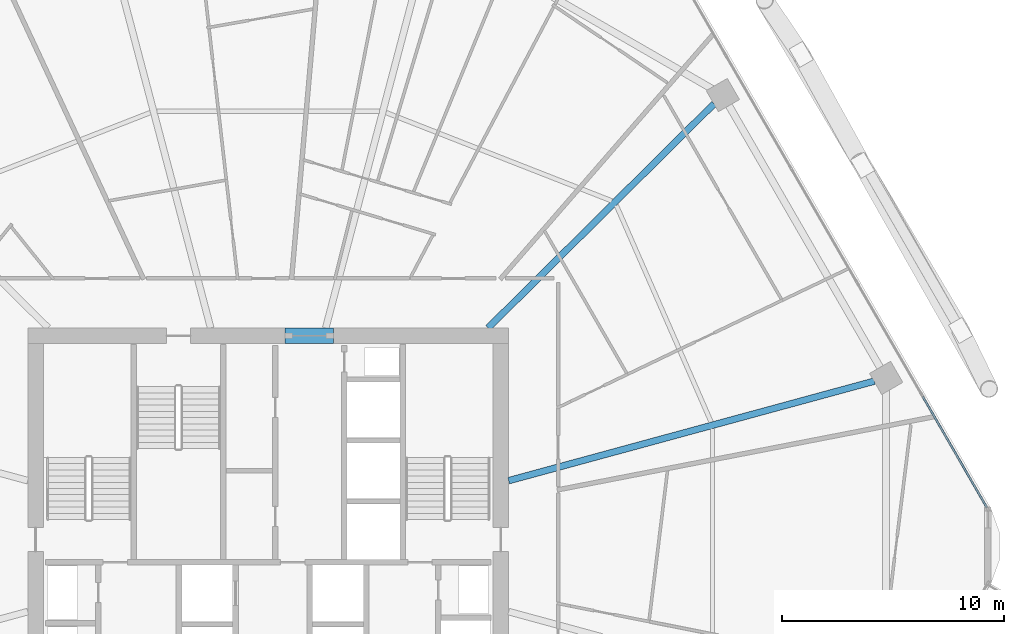
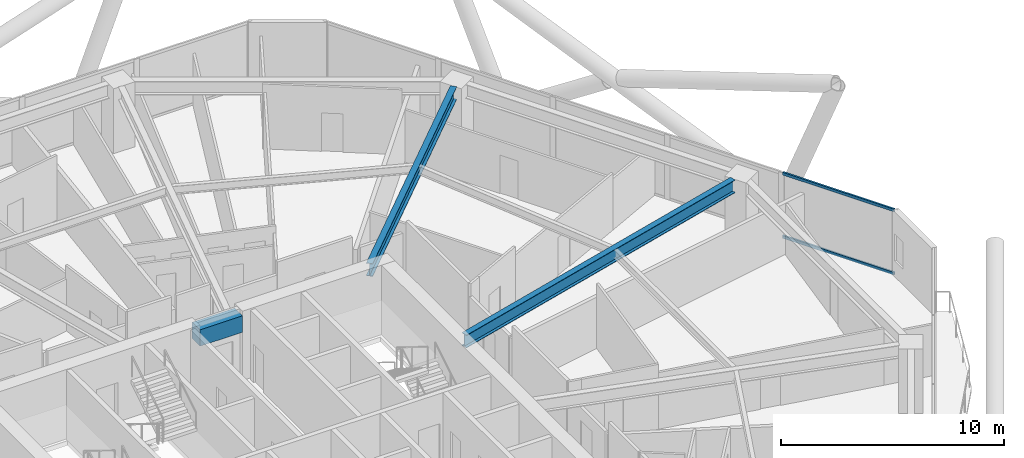
# One storey, part 19 of 34: 3 beams, 2 members, 1 element without a shape of its own.
"""IFC4 building model written with IfcOpenShell, lengths in metres."""

from ifc_helpers import new_model, si_unit, direction, frame, origin, origin_2d, place, context, subcontext, project, spatial, rectangle, hollow_rectangle, i_section, extrude, material, material_profile, profile_set, type_object, element, aggregate, save


model = new_model("IFC4")

# Units and contexts
model_context = context("Model", 3, precision=1e-05, world=origin(), true_north=direction((0.0, 1.0)))
body_context = subcontext(model_context, "Body", "Model", "MODEL_VIEW")
ifc_project = project(units=[si_unit("LENGTHUNIT", "METRE"), si_unit("AREAUNIT", "SQUARE_METRE"), si_unit("VOLUMEUNIT", "CUBIC_METRE"), si_unit("PLANEANGLEUNIT", "RADIAN"), si_unit("MASSUNIT", "GRAM", prefix="KILO")], contexts=[model_context])

# Site, building, storey
site_placement = place(None, origin())
site = spatial("IfcSite", under=ifc_project, at=site_placement, CompositionType="ELEMENT")
building_placement = place(site_placement, origin())
building = spatial("IfcBuilding", under=site, at=building_placement, Name="Zuhravey Tower", CompositionType="ELEMENT")
storey_placement = place(building_placement, frame((0.0, 0.0, 130.39990234375)))
storey = spatial("IfcBuildingStorey", under=building, at=storey_placement, Name="L32", CompositionType="ELEMENT", Elevation=130.39990234375)

# Beam
ifc_material_1 = material(Name="Concrete C60/75", Category="concrete")
ifc_material_profile_1 = material_profile(ifc_material_1, rectangle(XDim=0.699951171875, YDim=0.89990234375, at=origin_2d()), Name="RC-700x900")
ifc_profile_set_1 = profile_set([ifc_material_profile_1], Name="Concrete C60/75")
beam_type_1 = type_object("IfcBeamType", Name="Core Coupling Beam RC700x900", PredefinedType="LINTEL", material=ifc_profile_set_1)
beam_1_placement = place(storey_placement, frame((36.751953125, 41.5, 3.10009765625), z_axis=(1.0, 0.0, 0.0), x_axis=(0.0, 1.0, 0.0)))
element("IfcBeam", 1, at=beam_1_placement, inside=storey, type_object=beam_type_1, Name="L32 CB1 BM-L32-CB-N", PredefinedType="LINTEL", context=body_context, shape_type="SweptSolid", body=[
    extrude(rectangle(XDim=0.699951171875, YDim=0.89990234375, at=origin_2d()), origin(), (0.0, 0.0, 1.0), 2.196044921875),
])

# Curtain wall, members
ifc_material_2 = material(Name="Thermally broken anodised aluminium", Category="aluminium")
curtain_wall_type = type_object("IfcCurtainWallType", Name="Zone 1-2 Residential Curtain Wall CW3", PredefinedType="NOTDEFINED", material=ifc_material_2)
curtain_wall_placement = place(storey_placement, origin())
curtain_wall = element("IfcCurtainWall", 2, at=curtain_wall_placement, inside=storey, type_object=curtain_wall_type, Name="L32 CW3 CW-L32-F1-1", PredefinedType="NOTDEFINED")
ifc_material_3 = material(Name="Anodised aluminium", Category="aluminium")
ifc_material_profile_2 = material_profile(ifc_material_3, hollow_rectangle(XDim=0.090087890625, YDim=0.14990234375, WallThickness=0.0048828125, at=origin_2d()), Name="ALU-RHS-90x150x5")
ifc_profile_set_2 = profile_set([ifc_material_profile_2], Name="Anodised aluminium")
member_type = type_object("IfcMemberType", Name="Curtain-Wall Transom 90x150", PredefinedType="USERDEFINED", material=ifc_profile_set_2)
member_1_placement = place(storey_placement, frame((65.541015625, 38.750244140625, 0.045166015625), z_axis=(0.500024450573, -0.866011286779, 0.0), x_axis=(0.866011286779, 0.500024450573, 0.0)))
member_1 = element("IfcMember", 3, at=member_1_placement, type_object=member_type, Name="CW3 transom 5.1", ObjectType="TRANSOM", PredefinedType="USERDEFINED", context=body_context, shape_type="SweptSolid", body=[
    extrude(hollow_rectangle(XDim=0.090087890625, YDim=0.14990234375, WallThickness=0.0048828125, at=origin_2d()), origin(), (0.0, 0.0, 1.0), 5.784912109375),
])
member_2_placement = place(storey_placement, frame((65.541015625, 38.750244140625, 3.505126953125), z_axis=(0.500024450573, -0.866011286779, 0.0), x_axis=(0.866011286779, 0.500024450573, 0.0)))
member_2 = element("IfcMember", 4, at=member_2_placement, type_object=member_type, Name="CW3 transom 5.2", ObjectType="TRANSOM", PredefinedType="USERDEFINED", context=body_context, shape_type="SweptSolid", body=[
    extrude(hollow_rectangle(XDim=0.090087890625, YDim=0.14990234375, WallThickness=0.0048828125, at=origin_2d()), origin(), (0.0, 0.0, 1.0), 5.784912109375),
])
aggregate(curtain_wall, [member_1, member_2])

# Beams
ifc_material_4 = material(Name="Steel SM355", Category="steel")
ifc_material_profile_3 = material_profile(ifc_material_4, i_section(OverallWidth=0.300048828125, OverallDepth=0.699951171875, WebThickness=0.012939453125, FlangeThickness=0.02392578125, at=origin_2d()), Name="H-700x300x13x24")
ifc_profile_set_3 = profile_set([ifc_material_profile_3], Name="Steel SM355")
beam_type_2 = type_object("IfcBeamType", Name="Radial Primary Girder H700x300", PredefinedType="BEAM", material=ifc_profile_set_3)
beam_2_placement = place(storey_placement, frame((46.85302734375, 34.954345703125, 3.2001953125), z_axis=(0.964893166225, 0.262642680791, 0.0), x_axis=(-0.262642680791, 0.964893166225, 0.0)))
element("IfcBeam", 5, at=beam_2_placement, inside=storey, type_object=beam_type_2, Name="L32 RG1 BM-L32-RAD-01", PredefinedType="BEAM", context=body_context, shape_type="SweptSolid", body=[
    extrude(i_section(OverallWidth=0.300048828125, OverallDepth=0.699951171875, WebThickness=0.012939453125, FlangeThickness=0.02392578125, at=origin_2d()), origin(), (0.0, 0.0, 1.0), 17.102783203125),
])
beam_3_placement = place(storey_placement, frame((45.931396484375, 41.85302734375, 3.2001953125), z_axis=(0.709906230344, 0.704296204816, 0.0), x_axis=(-0.704296204816, 0.709906230344, 0.0)))
element("IfcBeam", 6, at=beam_3_placement, inside=storey, type_object=beam_type_2, Name="L32 RG1 BM-L32-RAD-02", PredefinedType="BEAM", context=body_context, shape_type="SweptSolid", body=[
    extrude(i_section(OverallWidth=0.300048828125, OverallDepth=0.699951171875, WebThickness=0.012939453125, FlangeThickness=0.02392578125, at=origin_2d()), origin(), (0.0, 0.0, 1.0), 14.361083984375),
])

save(model, "model.ifc")
